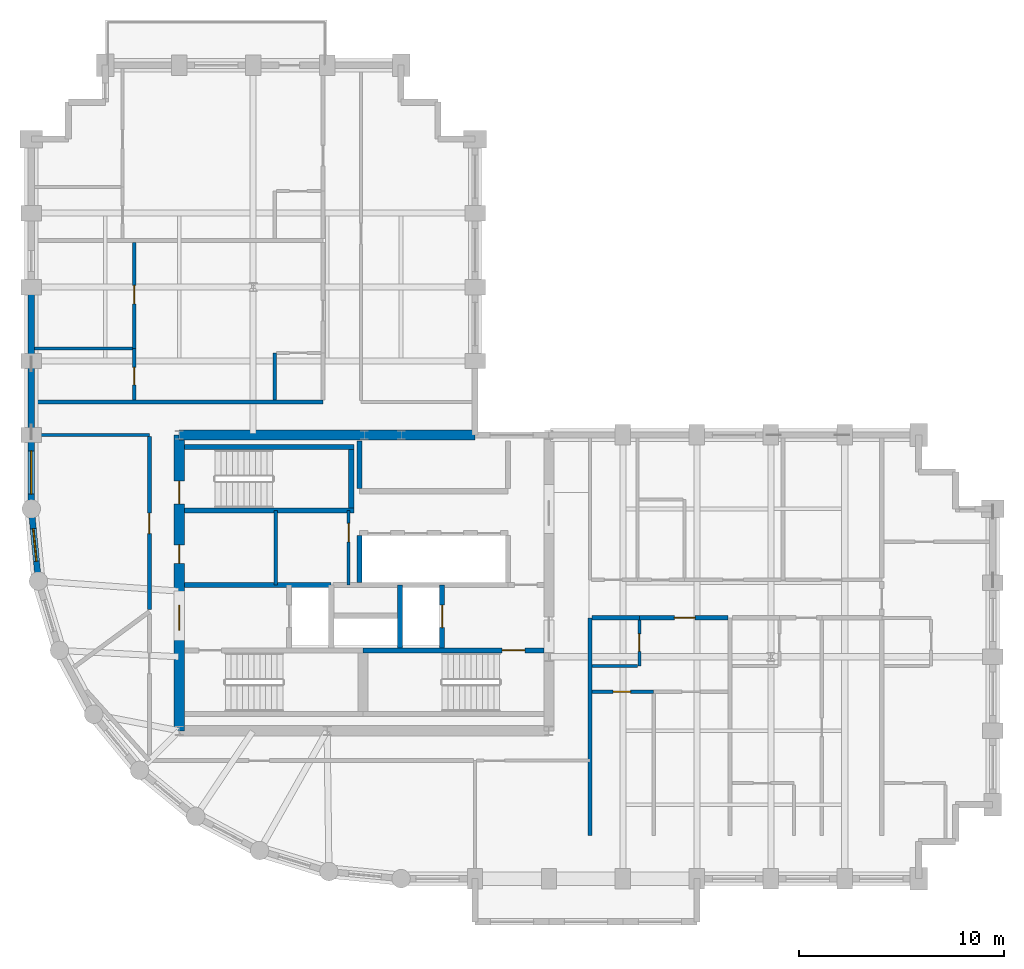
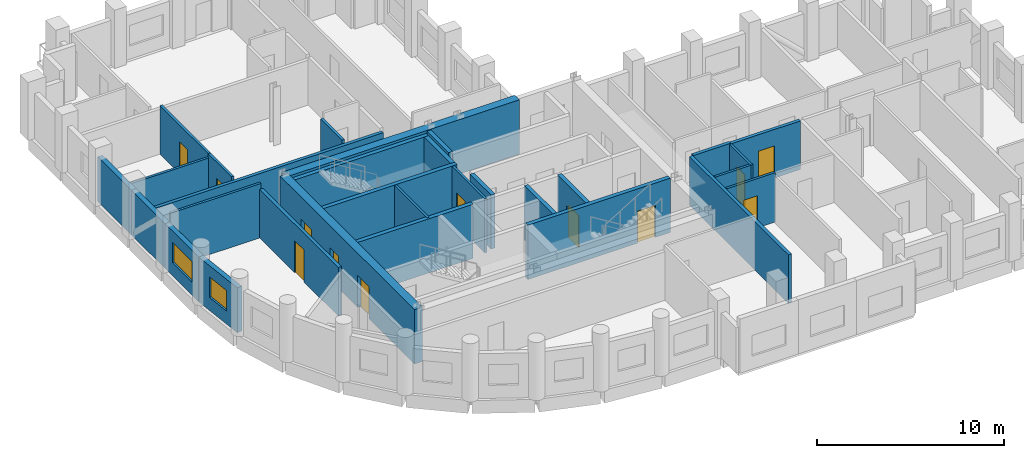
# One storey, part 4 of 9: 30 walls, 12 doors, 2 windows, 14 openings.
"""IFC4 building model written with IfcOpenShell, lengths in metres."""

import ifcopenshell
import ifcopenshell.guid

model = None  # the IFC model being written
_history = None  # IfcOwnerHistory: only IFC2X3 demands one
_inside = {}  # id of a spatial element -> (the spatial element, [elements in it])
_under = {}  # id of a project, library or spatial element -> (it, [spatial elements below it])
_declared = {}  # id of a project -> (the project, [libraries it declares])
_typed = {}  # id of a type object -> (the type object, [elements of that type])
_made_of = {}  # id of a material, layer set ... -> (it, [elements and type objects made of it])


def new_model(schema):
    """Start an empty IFC model of exactly this schema.

    Asked for "IFC4X3", IfcOpenShell would pick the latest addendum, in which some entities
    have other attributes; the version numbers below select the first issue.
    IFC2X3 requires an IfcOwnerHistory on every rooted entity: one is made here for all.
    """
    global model, _history
    if schema == "IFC4X3":
        model = ifcopenshell.file(schema_version=(4, 3, 0, 0))
    else:
        model = ifcopenshell.file(schema=schema)
    _inside.clear()
    _under.clear()
    _declared.clear()
    _typed.clear()
    _made_of.clear()
    _history = None
    if model.schema == "IFC2X3":
        org = make("IfcOrganization", Name="unknown")
        user = make(
            "IfcPersonAndOrganization",
            ThePerson=make("IfcPerson", FamilyName="unknown"),
            TheOrganization=org,
        )
        app = make(
            "IfcApplication",
            ApplicationDeveloper=org,
            Version="unknown",
            ApplicationFullName="unknown",
            ApplicationIdentifier="unknown",
        )
        _history = make(
            "IfcOwnerHistory",
            OwningUser=user,
            OwningApplication=app,
            ChangeAction="ADDED",
            CreationDate=0,
        )
    return model


def make(cls, **values):
    """One entity of the class cls with the attributes given. An attribute that is None is left unset."""
    return model.create_entity(
        cls, **{name: value for name, value in values.items() if value is not None}
    )


def rooted(cls, **values):
    """An entity with a GlobalId (a new one), such as an element, a storey or a relation."""
    return make(cls, GlobalId=ifcopenshell.guid.new(), OwnerHistory=_history, **values)


def si_unit(unit_type, name, prefix=None):
    """IfcSIUnit, for example si_unit("LENGTHUNIT", "METRE", prefix="MILLI")."""
    return make("IfcSIUnit", UnitType=unit_type, Prefix=prefix, Name=name)


def assignment(units):
    """IfcUnitAssignment: the units of a project."""
    return None if units is None else make("IfcUnitAssignment", Units=units)


def point(xyz):
    """IfcCartesianPoint."""
    return None if xyz is None else make("IfcCartesianPoint", Coordinates=xyz)


def direction(xyz):
    """IfcDirection."""
    return None if xyz is None else make("IfcDirection", DirectionRatios=xyz)


def frame(location, z_axis=None, x_axis=None):
    """IfcAxis2Placement3D, a coordinate frame: its origin and axes. An axis left out is left unset."""
    return make(
        "IfcAxis2Placement3D",
        Location=point(location),
        Axis=direction(z_axis),
        RefDirection=direction(x_axis),
    )


def frame_2d(location, x_axis=None):
    """IfcAxis2Placement2D, a coordinate frame in the plane: its origin and x axis."""
    return make(
        "IfcAxis2Placement2D", Location=point(location), RefDirection=direction(x_axis)
    )


def origin():
    """The frame at (0, 0, 0) with its axes left unset."""
    return frame((0.0, 0.0, 0.0))


def place(relative_to, where):
    """IfcLocalPlacement: puts the frame where relative to a parent placement (None: the world)."""
    return make(
        "IfcLocalPlacement", PlacementRelTo=relative_to, RelativePlacement=where
    )


def context(
    kind, dimensions, precision=None, world=None, true_north=None, identifier=None
):
    """IfcGeometricRepresentationContext, for example the 3D "Model" context."""
    return make(
        "IfcGeometricRepresentationContext",
        ContextIdentifier=identifier,
        ContextType=kind,
        CoordinateSpaceDimension=dimensions,
        Precision=precision,
        WorldCoordinateSystem=world,
        TrueNorth=true_north,
    )


def subcontext(parent, identifier, kind, view, scale=None):
    """IfcGeometricRepresentationSubContext, for example "Body" below "Model"."""
    return make(
        "IfcGeometricRepresentationSubContext",
        ContextIdentifier=identifier,
        ContextType=kind,
        ParentContext=parent,
        TargetScale=scale,
        TargetView=view,
    )


def project(units=None, contexts=None):
    """IfcProject with its units and contexts."""
    return rooted(
        "IfcProject",
        Name="project",
        RepresentationContexts=contexts,
        UnitsInContext=assignment(units),
    )


def spatial(cls, under=None, at=None, **own):
    """A site, building, storey or space (cls), placed at a placement, below another one or the project."""
    s = rooted(cls, ObjectPlacement=at, **own)
    if under is not None:
        _under.setdefault(under.id(), (under, []))[1].append(s)
    return s


def profile(cls, at=None, kind="AREA", **sizes):
    """A parametric profile (cls). Its sizes go by their IFC names, for example OverallWidth=200.0."""
    return make(cls, ProfileType=kind, Position=at, **sizes)


def rectangle(**sizes):
    """IfcRectangleProfileDef."""
    return profile("IfcRectangleProfileDef", **sizes)


def extrude(swept, where, along, depth):
    """IfcExtrudedAreaSolid: the profile swept, set in the frame where, extruded along a direction by depth."""
    return make(
        "IfcExtrudedAreaSolid",
        SweptArea=swept,
        Position=where,
        ExtrudedDirection=direction(along),
        Depth=depth,
    )


def shape(context_of_items, identifier, shape_type, items):
    """IfcShapeRepresentation: the items that make up one representation, for example the "Body"."""
    return make(
        "IfcShapeRepresentation",
        ContextOfItems=context_of_items,
        RepresentationIdentifier=identifier,
        RepresentationType=shape_type,
        Items=items,
    )


def material(Name=None, Category=None):
    """IfcMaterial."""
    return make("IfcMaterial", Name=Name, Category=Category)


def layer(
    of_material, thickness, ventilated=None, Name=None, Category=None, Priority=None
):
    """IfcMaterialLayer: one layer of a wall or slab, of a material (None: an air gap)."""
    return make(
        "IfcMaterialLayer",
        Material=of_material,
        LayerThickness=thickness,
        IsVentilated=ventilated,
        Name=Name,
        Category=Category,
        Priority=Priority,
    )


def layer_set(layers, Name=None):
    """IfcMaterialLayerSet."""
    return make("IfcMaterialLayerSet", MaterialLayers=layers, LayerSetName=Name)


def made_of(thing, what):
    """Note that an element or type object is made of a material, layer set ...; save() writes the relation."""
    if what is not None:
        _made_of.setdefault(what.id(), (what, []))[1].append(thing)
    return thing


def type_object(cls, material=None, **own):
    """A type object (cls), such as IfcWallType, which elements share."""
    return made_of(rooted(cls, **own), material)


def element(
    cls,
    number,
    at=None,
    inside=None,
    cuts=None,
    type_object=None,
    material=None,
    context=None,
    identifier="Body",
    shape_type=None,
    held_by="IfcProductDefinitionShape",
    body=None,
    shapes=None,
    **own,
):
    """One element of the class cls, such as IfcWall. Its Tag is "e" and its number.

    at: its placement. inside: the storey or other place that contains it. cuts: it is an
    opening in that element (IfcRelVoidsElement). A single representation is given by context,
    identifier, shape_type and body (its items); several are given by shapes. held_by: the class
    of the entity that holds the representations. save() writes the other relations.
    """
    e = rooted(cls, Tag="e%d" % number, ObjectPlacement=at, **own)
    if body is not None:
        shapes = [shape(context, identifier, shape_type, body)]
    if shapes is not None:
        e.Representation = make(held_by, Representations=shapes)
    if inside is not None:
        _inside.setdefault(inside.id(), (inside, []))[1].append(e)
    if cuts is not None:
        rooted(
            "IfcRelVoidsElement", RelatingBuildingElement=cuts, RelatedOpeningElement=e
        )
    if type_object is not None:
        _typed.setdefault(type_object.id(), (type_object, []))[1].append(e)
    return made_of(e, material)


def fill(opening, filler):
    """IfcRelFillsElement: the door or window that sits in an opening."""
    return rooted(
        "IfcRelFillsElement",
        RelatingOpeningElement=opening,
        RelatedBuildingElement=filler,
    )


def aggregate(whole, parts):
    """IfcRelAggregates: a whole, such as a stair, and the parts it consists of."""
    return rooted("IfcRelAggregates", RelatingObject=whole, RelatedObjects=parts)


def save(model, path):
    """Write the relations noted so far, then the file.

    IfcRelAggregates (storeys below a building ...), IfcRelContainedInSpatialStructure (elements
    in a storey), IfcRelDefinesByType, IfcRelAssociatesMaterial and IfcRelDeclares: one each for
    every whole, place, type object, material and project.
    """
    for whole, parts in _under.values():
        aggregate(whole, parts)
    for where, things in _inside.values():
        rooted(
            "IfcRelContainedInSpatialStructure",
            RelatedElements=things,
            RelatingStructure=where,
        )
    for kind, things in _typed.values():
        rooted("IfcRelDefinesByType", RelatedObjects=things, RelatingType=kind)
    for what, things in _made_of.values():
        rooted("IfcRelAssociatesMaterial", RelatedObjects=things, RelatingMaterial=what)
    for by, libraries in _declared.values():
        rooted("IfcRelDeclares", RelatingContext=by, RelatedDefinitions=libraries)
    model.write(path)


model = new_model("IFC4")

# Units and contexts
model_context = context("Model", 3, precision=1e-05, world=origin(), true_north=direction((0.0, 1.0)))
body_context = subcontext(model_context, "Body", "Model", "MODEL_VIEW")
ifc_project = project(units=[si_unit("LENGTHUNIT", "METRE"), si_unit("AREAUNIT", "SQUARE_METRE"), si_unit("VOLUMEUNIT", "CUBIC_METRE"), si_unit("PLANEANGLEUNIT", "RADIAN"), si_unit("MASSUNIT", "GRAM", prefix="KILO")], contexts=[model_context])

# Site, building, storey
site_placement = place(None, origin())
site = spatial("IfcSite", under=ifc_project, at=site_placement, CompositionType="ELEMENT")
building_placement = place(site_placement, origin())
building = spatial("IfcBuilding", under=site, at=building_placement, Name="Solnavia Interchange Tower", CompositionType="ELEMENT")
storey_placement = place(building_placement, frame((0.0, 0.0, 131.39990234375)))
storey = spatial("IfcBuildingStorey", under=building, at=storey_placement, Name="L32", CompositionType="ELEMENT", Elevation=131.39990234375)

# Wall, opening, door
ifc_material_1 = material(Name="Gypsum Acoustic Twin-Stud & Mineral Wool", Category="gypsum")
ifc_layer_1 = layer(ifc_material_1, 0.199951171875)
ifc_layer_set_1 = layer_set([ifc_layer_1], Name="Gypsum Acoustic Twin-Stud & Mineral Wool")
wall_type_1 = type_object("IfcWallType", Name="Wall-ApartmentParty-200", PredefinedType="PARTITIONING", material=ifc_layer_set_1)
wall_1_placement = place(storey_placement, frame((12.949951171875, 16.7041015625, 0.0), z_axis=(0.0, 0.0, 1.0), x_axis=(0.0, 1.0, 0.0)))
wall_1 = element("IfcWall", 1, at=wall_1_placement, inside=storey, type_object=wall_type_1, Name="PTW-L32-11 Interior partition wall", PredefinedType="PARTITIONING", context=body_context, shape_type="SweptSolid", body=[
    extrude(rectangle(XDim=8.4169921875, YDim=0.199951171875, at=frame_2d((4.20849609375, 0.0))), origin(), (0.0, 0.0, 1.0), 3.18017578125),
])
opening_1_placement = place(wall_1_placement, frame((3.696044921875, 0.0, 0.0)))
opening_1 = element("IfcOpeningElement", 2, at=opening_1_placement, cuts=wall_1, Name="Opening DR-07", PredefinedType="OPENING", context=body_context, shape_type="SweptSolid", body=[
    extrude(rectangle(XDim=1.0, YDim=2.10009765625, at=frame_2d((0.5, 1.050048828125))), frame((0.0, 0.10986328125, 0.0), z_axis=(0.0, -1.0, 0.0), x_axis=(1.0, 0.0, 0.0)), (0.0, 0.0, 1.0), 0.219970703125),
])
ifc_material_2 = material(Name="Timber & Acoustic Glazed Office Door", Category="wood")
door_type_1 = type_object("IfcDoorType", Name="Door-Office-1000x2100", OperationType="SINGLE_SWING_RIGHT", PredefinedType="DOOR", material=ifc_material_2)
door_1_placement = place(opening_1_placement, origin())
door_1 = element("IfcDoor", 3, at=door_1_placement, inside=storey, type_object=door_type_1, Name="DR-L32-03 Interior room door", OperationType="SINGLE_SWING_LEFT", OverallHeight=2.10009765625, OverallWidth=1.0, PredefinedType="DOOR", context=body_context, shape_type="SweptSolid", body=[
    extrude(rectangle(XDim=1.0, YDim=2.10009765625, at=frame_2d((0.5, 1.050048828125))), frame((0.0, 0.02490234375, 0.0), z_axis=(0.0, -1.0, 0.0), x_axis=(1.0, 0.0, 0.0)), (0.0, 0.0, 1.0), 0.050048828125),
])
fill(opening_1, door_1)

# Walls
wall_2_placement = place(storey_placement, frame((34.39990234375, 5.699951171875, 0.0), z_axis=(0.0, 0.0, 1.0), x_axis=(0.0, 1.0, 0.0)))
element("IfcWall", 4, at=wall_2_placement, inside=storey, type_object=wall_type_1, Name="PTW-L32-15 Interior partition wall", PredefinedType="PARTITIONING", context=body_context, shape_type="SweptSolid", body=[
    extrude(rectangle(XDim=10.60009765625, YDim=0.199951171875, at=frame_2d((5.300048828125, 0.0))), origin(), (0.0, 0.0, 1.0), 3.170166015625),
])
wall_3_placement = place(storey_placement, frame((34.50390625, 16.300048828125, 0.0), z_axis=(0.0, 0.0, 1.0), x_axis=(1.0, 0.0, 0.0)))
element("IfcWall", 5, at=wall_3_placement, inside=storey, type_object=wall_type_1, Name="PTW-L32-17 Interior partition wall", PredefinedType="PARTITIONING", context=body_context, shape_type="SweptSolid", body=[
    extrude(rectangle(XDim=2.296142578125, YDim=0.199951171875, at=frame_2d((1.14794921875, 0.0))), origin(), (0.0, 0.0, 1.0), 3.22021484375),
])

# Wall, opening, door
wall_4_placement = place(storey_placement, frame((36.800048828125, 16.300048828125, 0.0), z_axis=(0.0, 0.0, 1.0), x_axis=(1.0, 0.0, 0.0)))
wall_4 = element("IfcWall", 6, at=wall_4_placement, inside=storey, type_object=wall_type_1, Name="PTW-L32-20 Interior partition wall", PredefinedType="PARTITIONING", context=body_context, shape_type="SweptSolid", body=[
    extrude(rectangle(XDim=4.31591796875, YDim=0.199951171875, at=frame_2d((2.157958984375, 0.0))), origin(), (0.0, 0.0, 1.0), 3.170166015625),
])
opening_2_placement = place(wall_4_placement, frame((1.7099609375, 0.0, 0.0)))
opening_2 = element("IfcOpeningElement", 7, at=opening_2_placement, cuts=wall_4, Name="Opening DR-06", PredefinedType="OPENING", context=body_context, shape_type="SweptSolid", body=[
    extrude(rectangle(XDim=1.0, YDim=2.10009765625, at=frame_2d((0.5, 1.050048828125))), frame((0.0, 0.10986328125, 0.0), z_axis=(0.0, -1.0, 0.0), x_axis=(1.0, 0.0, 0.0)), (0.0, 0.0, 1.0), 0.219970703125),
])
ifc_material_3 = material(Name="Engineered Timber Acoustic Fire Door", Category="wood")
door_type_2 = type_object("IfcDoorType", Name="Door-FlatEntry-1000x2100", OperationType="SINGLE_SWING_LEFT", PredefinedType="DOOR", material=ifc_material_3)
door_2_placement = place(opening_2_placement, origin())
door_2 = element("IfcDoor", 8, at=door_2_placement, inside=storey, type_object=door_type_2, Name="DR-L32-08 Interior room door", OperationType="SINGLE_SWING_LEFT", OverallHeight=2.10009765625, OverallWidth=1.0, PredefinedType="DOOR", context=body_context, shape_type="SweptSolid", body=[
    extrude(rectangle(XDim=1.0, YDim=2.10009765625, at=frame_2d((0.5, 1.050048828125))), frame((0.0, 0.02490234375, 0.0), z_axis=(0.0, -1.0, 0.0), x_axis=(1.0, 0.0, 0.0)), (0.0, 0.0, 1.0), 0.050048828125),
])
fill(opening_2, door_2)

# Walls
wall_5_placement = place(storey_placement, frame((7.35400390625, 26.800048828125, 0.0), z_axis=(0.0, 0.0, 1.0), x_axis=(1.0, 0.0, 0.0)))
element("IfcWall", 9, at=wall_5_placement, inside=storey, type_object=wall_type_1, Name="PTW-L32-44 Interior partition wall", PredefinedType="PARTITIONING", context=body_context, shape_type="SweptSolid", body=[
    extrude(rectangle(XDim=14.0458984375, YDim=0.199951171875, at=frame_2d((7.02294921875, 0.0))), origin(), (0.0, 0.0, 1.0), 2.93017578125),
])
ifc_material_4 = material(Name="Concrete C40/50", Category="concrete")
ifc_layer_2 = layer(ifc_material_4, 0.300048828125)
ifc_layer_set_2 = layer_set([ifc_layer_2], Name="Concrete C40/50")
wall_type_2 = type_object("IfcWallType", Name="Wall-ExtSpandrel-300", PredefinedType="STANDARD", material=ifc_layer_set_2)
wall_6_placement = place(storey_placement, frame((7.199951171875, 28.800048828125, 0.0), z_axis=(0.0, 0.0, 1.0), x_axis=(0.0, 1.0, 0.0)))
element("IfcWall", 10, at=wall_6_placement, inside=storey, type_object=wall_type_2, Name="EXW-L32-46 Exterior precast spandrel wall", PredefinedType="STANDARD", context=body_context, shape_type="SweptSolid", body=[
    extrude(rectangle(XDim=3.599853515625, YDim=0.300048828125, at=frame_2d((1.7998046875, 0.0))), origin(), (0.0, 0.0, 1.0), 2.93017578125),
])
wall_7_placement = place(storey_placement, frame((7.199951171875, 25.199951171875, 0.0), z_axis=(0.0, 0.0, 1.0), x_axis=(0.0, 1.0, 0.0)))
element("IfcWall", 11, at=wall_7_placement, inside=storey, type_object=wall_type_2, Name="EXW-L32-47 Exterior precast spandrel wall", PredefinedType="STANDARD", context=body_context, shape_type="SweptSolid", body=[
    extrude(rectangle(XDim=3.60009765625, YDim=0.300048828125, at=frame_2d((1.800048828125, 0.0))), origin(), (0.0, 0.0, 1.0), 2.93017578125),
])

# Wall, opening, window
wall_8_placement = place(storey_placement, frame((7.199951171875, 21.60009765625, 0.0), z_axis=(0.0, 0.0, 1.0), x_axis=(0.0, 1.0, 0.0)))
wall_8 = element("IfcWall", 12, at=wall_8_placement, inside=storey, type_object=wall_type_2, Name="EXW-L32-48 Exterior precast spandrel wall", PredefinedType="STANDARD", context=body_context, shape_type="SweptSolid", body=[
    extrude(rectangle(XDim=3.599853515625, YDim=0.300048828125, at=frame_2d((1.7998046875, 0.0))), origin(), (0.0, 0.0, 1.0), 2.93017578125),
])
opening_3_placement = place(wall_8_placement, frame((0.72509765625, 0.0, 0.85009765625)))
opening_3 = element("IfcOpeningElement", 13, at=opening_3_placement, cuts=wall_8, Name="Opening WIN-01", PredefinedType="OPENING", context=body_context, shape_type="SweptSolid", body=[
    extrude(rectangle(XDim=2.10009765625, YDim=1.35009765625, at=frame_2d((1.050048828125, 0.675048828125))), frame((0.0, 0.16015625, 0.0), z_axis=(0.0, -1.0, 0.0), x_axis=(1.0, 0.0, 0.0)), (0.0, 0.0, 1.0), 0.320068359375),
])
ifc_material_5 = material(Name="Thermal-Break Aluminium & Low-E Glass", Category="aluminium")
window_type_1 = type_object("IfcWindowType", Name="Window-Ribbon-2100x1350", PartitioningType="SINGLE_PANEL", PredefinedType="WINDOW", material=ifc_material_5)
window_1_placement = place(opening_3_placement, origin())
window_1 = element("IfcWindow", 14, at=window_1_placement, inside=storey, type_object=window_type_1, Name="WIN-L32-48 Facade ribbon window", OverallHeight=1.35009765625, OverallWidth=2.10009765625, PartitioningType="SINGLE_PANEL", PredefinedType="WINDOW", context=body_context, shape_type="SweptSolid", body=[
    extrude(rectangle(XDim=2.10009765625, YDim=1.35009765625, at=frame_2d((1.050048828125, 0.675048828125))), frame((0.0, 0.030029296875, 0.0), z_axis=(0.0, -1.0, 0.0), x_axis=(1.0, 0.0, 0.0)), (0.0, 0.0, 1.0), 0.06005859375),
])
fill(opening_3, window_1)

wall_9_placement = place(storey_placement, frame((7.5458984375, 18.087890625, 0.0), z_axis=(0.0, 0.0, 1.0), x_axis=(-0.09802417461, 0.995184033831, 0.0)))
wall_9 = element("IfcWall", 15, at=wall_9_placement, inside=storey, type_object=wall_type_2, Name="EXW-L32-49 Exterior precast spandrel wall", PredefinedType="STANDARD", context=body_context, shape_type="SweptSolid", body=[
    extrude(rectangle(XDim=3.529296875, YDim=0.300048828125, at=frame_2d((1.7646484375, 0.0))), origin(), (0.0, 0.0, 1.0), 2.93017578125),
])
opening_4_placement = place(wall_9_placement, frame((0.965087890625, 0.0, 0.85009765625)))
opening_4 = element("IfcOpeningElement", 16, at=opening_4_placement, cuts=wall_9, Name="Opening WIN-04", PredefinedType="OPENING", context=body_context, shape_type="SweptSolid", body=[
    extrude(rectangle(XDim=1.60009765625, YDim=1.35009765625, at=frame_2d((0.800048828125, 0.675048828125))), frame((0.0, 0.16015625, 0.0), z_axis=(0.0, -1.0, 0.0), x_axis=(1.0, 0.0, 0.0)), (0.0, 0.0, 1.0), 0.320068359375),
])
window_type_2 = type_object("IfcWindowType", Name="Window-Drum-1600x1350", PartitioningType="SINGLE_PANEL", PredefinedType="WINDOW", material=ifc_material_5)
window_2_placement = place(opening_4_placement, origin())
window_2 = element("IfcWindow", 17, at=window_2_placement, inside=storey, type_object=window_type_2, Name="WIN-L32-49 Facade ribbon window", OverallHeight=1.35009765625, OverallWidth=1.60009765625, PartitioningType="SINGLE_PANEL", PredefinedType="WINDOW", context=body_context, shape_type="SweptSolid", body=[
    extrude(rectangle(XDim=1.60009765625, YDim=1.35009765625, at=frame_2d((0.800048828125, 0.675048828125))), frame((0.0, 0.030029296875, 0.0), z_axis=(0.0, -1.0, 0.0), x_axis=(1.0, 0.0, 0.0)), (0.0, 0.0, 1.0), 0.06005859375),
])
fill(opening_4, window_2)

# Wall, opening, door
ifc_material_6 = material(Name="Gypsum Plasterboard & Steel Stud", Category="steel")
ifc_layer_3 = layer(ifc_material_6, 0.14990234375)
ifc_layer_set_3 = layer_set([ifc_layer_3], Name="Gypsum Plasterboard & Steel Stud")
wall_type_3 = type_object("IfcWallType", Name="Wall-Partition-150", PredefinedType="PARTITIONING", material=ifc_layer_set_3)
wall_10_placement = place(storey_placement, frame((22.64990234375, 17.89990234375, 0.0), z_axis=(0.0, 0.0, 1.0), x_axis=(0.0, 1.0, 0.0)))
wall_10 = element("IfcWall", 18, at=wall_10_placement, inside=storey, type_object=wall_type_3, Name="CSW-L32-E Core shaft wall", PredefinedType="PARTITIONING", context=body_context, shape_type="SweptSolid", body=[
    extrude(rectangle(XDim=3.625, YDim=0.14990234375, at=frame_2d((1.8125, 0.0))), origin(), (0.0, 0.0, 1.0), 3.53515625),
])
opening_5_placement = place(wall_10_placement, frame((2.10009765625, 0.0, 0.0)))
opening_5 = element("IfcOpeningElement", 19, at=opening_5_placement, cuts=wall_10, Name="Opening DR-09", PredefinedType="OPENING", context=body_context, shape_type="SweptSolid", body=[
    extrude(rectangle(XDim=0.89990234375, YDim=2.10009765625, at=frame_2d((0.449951171875, 1.050048828125))), frame((0.0, 0.0849609375, 0.0), z_axis=(0.0, -1.0, 0.0), x_axis=(1.0, 0.0, 0.0)), (0.0, 0.0, 1.0), 0.169921875),
])
ifc_material_7 = material(Name="Engineered Oak Veneer Door", Category="wood")
door_type_3 = type_object("IfcDoorType", Name="Door-Internal-900x2100", OperationType="SINGLE_SWING_LEFT", PredefinedType="DOOR", material=ifc_material_7)
door_3_placement = place(opening_5_placement, origin())
door_3 = element("IfcDoor", 20, at=door_3_placement, inside=storey, type_object=door_type_3, Name="DR-L32-CS2 Core fire door", OperationType="SINGLE_SWING_LEFT", OverallHeight=2.10009765625, OverallWidth=0.89990234375, PredefinedType="DOOR", context=body_context, shape_type="SweptSolid", body=[
    extrude(rectangle(XDim=0.89990234375, YDim=2.10009765625, at=frame_2d((0.449951171875, 1.050048828125))), frame((0.0, 0.02490234375, 0.0), z_axis=(0.0, -1.0, 0.0), x_axis=(1.0, 0.0, 0.0)), (0.0, 0.0, 1.0), 0.050048828125),
])
fill(opening_5, door_3)

# Walls
wall_11_placement = place(storey_placement, frame((19.10009765625, 17.89990234375, 0.0), z_axis=(0.0, 0.0, 1.0), x_axis=(0.0, 1.0, 0.0)))
element("IfcWall", 21, at=wall_11_placement, inside=storey, type_object=wall_type_3, Name="CSW-L32-M1 Core shaft wall", PredefinedType="PARTITIONING", context=body_context, shape_type="SweptSolid", body=[
    extrude(rectangle(XDim=3.625, YDim=0.14990234375, at=frame_2d((1.8125, 0.0))), origin(), (0.0, 0.0, 1.0), 3.53515625),
])
wall_12_placement = place(storey_placement, frame((7.35400390625, 25.199951171875, 0.0), z_axis=(0.0, 0.0, 1.0), x_axis=(1.0, 0.0, 0.0)))
element("IfcWall", 22, at=wall_12_placement, inside=storey, type_object=wall_type_3, Name="PTW-L32-07 Interior partition wall", PredefinedType="PARTITIONING", context=body_context, shape_type="SweptSolid", body=[
    extrude(rectangle(XDim=5.595947265625, YDim=0.14990234375, at=frame_2d((2.7978515625, 0.0))), origin(), (0.0, 0.0, 1.0), 3.53515625),
])

# Wall, opening, door
wall_13_placement = place(storey_placement, frame((12.2099609375, 29.39990234375, 0.0), z_axis=(0.0, 0.0, 1.0), x_axis=(0.0, 1.0, 0.0)))
wall_13 = element("IfcWall", 23, at=wall_13_placement, inside=storey, type_object=wall_type_3, Name="PTW-L32-50 Interior partition wall", PredefinedType="PARTITIONING", context=body_context, shape_type="SweptSolid", body=[
    extrude(rectangle(XDim=5.166015625, YDim=0.14990234375, at=frame_2d((2.5830078125, 0.0))), origin(), (0.0, 0.0, 1.0), 3.18017578125),
])
opening_6_placement = place(wall_13_placement, frame((2.18505859375, 0.0, 0.0)))
opening_6 = element("IfcOpeningElement", 24, at=opening_6_placement, cuts=wall_13, Name="Opening DR-09", PredefinedType="OPENING", context=body_context, shape_type="SweptSolid", body=[
    extrude(rectangle(XDim=0.89990234375, YDim=2.10009765625, at=frame_2d((0.449951171875, 1.050048828125))), frame((0.0, 0.0849609375, 0.0), z_axis=(0.0, -1.0, 0.0), x_axis=(1.0, 0.0, 0.0)), (0.0, 0.0, 1.0), 0.169921875),
])
door_4_placement = place(opening_6_placement, origin())
door_4 = element("IfcDoor", 25, at=door_4_placement, inside=storey, type_object=door_type_3, Name="DR-L32-23 Interior room door", OperationType="SINGLE_SWING_LEFT", OverallHeight=2.10009765625, OverallWidth=0.89990234375, PredefinedType="DOOR", context=body_context, shape_type="SweptSolid", body=[
    extrude(rectangle(XDim=0.89990234375, YDim=2.10009765625, at=frame_2d((0.449951171875, 1.050048828125))), frame((0.0, 0.02490234375, 0.0), z_axis=(0.0, -1.0, 0.0), x_axis=(1.0, 0.0, 0.0)), (0.0, 0.0, 1.0), 0.050048828125),
])
fill(opening_6, door_4)

ifc_layer_4 = layer(ifc_material_4, 0.25)
ifc_layer_set_4 = layer_set([ifc_layer_4], Name="Concrete C40/50")
wall_type_4 = type_object("IfcWallType", Name="Wall-ShaftCore-250", PredefinedType="SHEAR", material=ifc_layer_set_4)
wall_14_placement = place(storey_placement, frame((23.35009765625, 14.715087890625, 0.0), z_axis=(0.0, 0.0, 1.0), x_axis=(1.0, 0.0, 0.0)))
wall_14 = element("IfcWall", 26, at=wall_14_placement, inside=storey, type_object=wall_type_4, Name="SHW-L32-ST2N Core shear wall", PredefinedType="SHEAR", context=body_context, shape_type="SweptSolid", body=[
    extrude(rectangle(XDim=8.7998046875, YDim=0.25, at=frame_2d((4.39990234375, 0.0))), origin(), (0.0, 0.0, 1.0), 3.550048828125),
])
opening_7_placement = place(wall_14_placement, frame((6.77490234375, 0.0, 0.0)))
opening_7 = element("IfcOpeningElement", 27, at=opening_7_placement, cuts=wall_14, Name="Opening DR-01", PredefinedType="OPENING", context=body_context, shape_type="SweptSolid", body=[
    extrude(rectangle(XDim=1.10009765625, YDim=2.10009765625, at=frame_2d((0.550048828125, 1.050048828125))), frame((0.0, 0.135009765625, 0.0), z_axis=(0.0, -1.0, 0.0), x_axis=(1.0, 0.0, 0.0)), (0.0, 0.0, 1.0), 0.27001953125),
])
ifc_material_8 = material(Name="Steel Fire-Rated Leaf & Frame", Category="steel")
door_type_4 = type_object("IfcDoorType", Name="Door-StairFire-1100x2100", OperationType="SINGLE_SWING_LEFT", PredefinedType="DOOR", material=ifc_material_8)
door_5_placement = place(opening_7_placement, origin())
door_5 = element("IfcDoor", 28, at=door_5_placement, inside=storey, type_object=door_type_4, Name="DR-L32-ST2 Core fire door", OperationType="SINGLE_SWING_LEFT", OverallHeight=2.10009765625, OverallWidth=1.10009765625, PredefinedType="DOOR", context=body_context, shape_type="SweptSolid", body=[
    extrude(rectangle(XDim=1.10009765625, YDim=2.10009765625, at=frame_2d((0.550048828125, 1.050048828125))), frame((0.0, 0.02490234375, 0.0), z_axis=(0.0, -1.0, 0.0), x_axis=(1.0, 0.0, 0.0)), (0.0, 0.0, 1.0), 0.050048828125),
])
fill(opening_7, door_5)

# Walls
for number, where, z_axis, x_axis, name in (
    (29, (14.64990234375, 21.52490234375, 0.0), (0.0, 0.0, 1.0), (1.0, 0.0, 0.0), "SHW-L32-ST3S Core shear wall"),
    (30, (14.64990234375, 24.614990234375, 0.0), (0.0, 0.0, 1.0), (1.0, 0.0, 0.0), "SHW-L32-ST3N Core shear wall"),
):
    element("IfcWall", number, at=place(storey_placement, frame(where, z_axis=z_axis, x_axis=x_axis)), inside=storey, type_object=wall_type_4, Name=name, PredefinedType="SHEAR", context=body_context, shape_type="SweptSolid", body=[
        extrude(rectangle(XDim=8.25, YDim=0.25, at=frame_2d((4.125, 0.0))), origin(), (0.0, 0.0, 1.0), 3.550048828125),
    ])
wall_15_placement = place(storey_placement, frame((22.77490234375, 21.64990234375, 0.0), z_axis=(0.0, 0.0, 1.0), x_axis=(0.0, 1.0, 0.0)))
element("IfcWall", 31, at=wall_15_placement, inside=storey, type_object=wall_type_4, Name="SHW-L32-ST3E Core shear wall", PredefinedType="SHEAR", context=body_context, shape_type="SweptSolid", body=[
    extrude(rectangle(XDim=2.840087890625, YDim=0.25, at=frame_2d((1.419921875, 0.0))), origin(), (0.0, 0.0, 1.0), 3.550048828125),
])
ifc_layer_5 = layer(ifc_material_4, 0.25)
ifc_layer_set_5 = layer_set([ifc_layer_5], Name="Concrete C40/50")
wall_type_5 = type_object("IfcWallType", Name="Wall-ShaftPart-250", PredefinedType="PARTITIONING", material=ifc_layer_set_5)
wall_16_placement = place(storey_placement, frame((14.64990234375, 17.89990234375, 0.0), z_axis=(0.0, 0.0, 1.0), x_axis=(1.0, 0.0, 0.0)))
element("IfcWall", 32, at=wall_16_placement, inside=storey, type_object=wall_type_5, Name="SHW-L32-FFLW-N Core shaft wall", PredefinedType="PARTITIONING", context=body_context, shape_type="SweptSolid", body=[
    extrude(rectangle(XDim=7.150146484375, YDim=0.25, at=frame_2d((3.5751953125, 0.0))), origin(), (0.0, 0.0, 1.0), 3.53515625),
])
wall_17_placement = place(storey_placement, frame((25.14990234375, 14.840087890625, 0.0), z_axis=(0.0, 0.0, 1.0), x_axis=(0.0, 1.0, 0.0)))
element("IfcWall", 33, at=wall_17_placement, inside=storey, type_object=wall_type_5, Name="SHW-L32-FFL2-W Core shaft wall", PredefinedType="PARTITIONING", context=body_context, shape_type="SweptSolid", body=[
    extrude(rectangle(XDim=3.059814453125, YDim=0.25, at=frame_2d((1.52978515625, 0.0))), origin(), (0.0, 0.0, 1.0), 3.53515625),
])

# Wall, opening, door
wall_18_placement = place(storey_placement, frame((27.199951171875, 14.840087890625, 0.0), z_axis=(0.0, 0.0, 1.0), x_axis=(0.0, 1.0, 0.0)))
wall_18 = element("IfcWall", 34, at=wall_18_placement, inside=storey, type_object=wall_type_5, Name="SHW-L32-FFL2-E Core shaft wall", PredefinedType="PARTITIONING", context=body_context, shape_type="SweptSolid", body=[
    extrude(rectangle(XDim=3.059814453125, YDim=0.25, at=frame_2d((1.52978515625, 0.0))), origin(), (0.0, 0.0, 1.0), 3.53515625),
])
opening_8_placement = place(wall_18_placement, frame((0.97998046875, 0.0, 0.0)))
opening_8 = element("IfcOpeningElement", 35, at=opening_8_placement, cuts=wall_18, Name="Opening LD-01", PredefinedType="OPENING", context=body_context, shape_type="SweptSolid", body=[
    extrude(rectangle(XDim=1.10009765625, YDim=2.10009765625, at=frame_2d((0.550048828125, 1.050048828125))), frame((0.0, 0.135009765625, 0.0), z_axis=(0.0, -1.0, 0.0), x_axis=(1.0, 0.0, 0.0)), (0.0, 0.0, 1.0), 0.27001953125),
])
ifc_material_9 = material(Name="Brushed Stainless Steel Sliding Door", Category="steel")
door_type_5 = type_object("IfcDoorType", Name="Door-LiftLanding-1100x2100", OperationType="SLIDING_TO_LEFT", PredefinedType="DOOR", material=ifc_material_9)
door_6_placement = place(opening_8_placement, origin())
door_6 = element("IfcDoor", 36, at=door_6_placement, inside=storey, type_object=door_type_5, Name="LD-L32-FFL2 Lift landing sliding door", OperationType="SLIDING_TO_LEFT", OverallHeight=2.10009765625, OverallWidth=1.10009765625, PredefinedType="DOOR", context=body_context, shape_type="SweptSolid", body=[
    extrude(rectangle(XDim=1.10009765625, YDim=2.10009765625, at=frame_2d((0.550048828125, 1.050048828125))), frame((0.0, 0.02490234375, 0.0), z_axis=(0.0, -1.0, 0.0), x_axis=(1.0, 0.0, 0.0)), (0.0, 0.0, 1.0), 0.050048828125),
])
fill(opening_8, door_6)

# Walls
wall_19_placement = place(storey_placement, frame((23.179931640625, 18.02490234375, 0.0), z_axis=(0.0, 0.0, 1.0), x_axis=(0.0, 1.0, 0.0)))
element("IfcWall", 37, at=wall_19_placement, inside=storey, type_object=wall_type_5, Name="SHW-L32-B2W Core shaft wall", PredefinedType="PARTITIONING", context=body_context, shape_type="SweptSolid", body=[
    extrude(rectangle(XDim=2.27001953125, YDim=0.25, at=frame_2d((1.135009765625, 0.0))), origin(), (0.0, 0.0, 1.0), 3.53515625),
])
wall_20_placement = place(storey_placement, frame((23.179931640625, 22.5849609375, 0.0), z_axis=(0.0, 0.0, 1.0), x_axis=(0.0, 1.0, 0.0)))
element("IfcWall", 38, at=wall_20_placement, inside=storey, type_object=wall_type_5, Name="SHW-L32-B3W Core shaft wall", PredefinedType="PARTITIONING", context=body_context, shape_type="SweptSolid", body=[
    extrude(rectangle(XDim=2.31494140625, YDim=0.25, at=frame_2d((1.157470703125, 0.0))), origin(), (0.0, 0.0, 1.0), 3.53515625),
])
ifc_material_10 = material(Name="Concrete C60/75", Category="concrete")
ifc_layer_6 = layer(ifc_material_10, 0.5)
ifc_layer_set_6 = layer_set([ifc_layer_6], Name="Concrete C60/75")
wall_type_6 = type_object("IfcWallType", Name="Wall-ShearCore-500", PredefinedType="SHEAR", material=ifc_layer_set_6)
wall_21_placement = place(storey_placement, frame((14.39990234375, 25.199951171875, 0.0), z_axis=(0.0, 0.0, 1.0), x_axis=(1.0, 0.0, 0.0)))
element("IfcWall", 39, at=wall_21_placement, inside=storey, type_object=wall_type_6, Name="CRW-L32-N Core shear wall", PredefinedType="SHEAR", context=body_context, shape_type="SweptSolid", body=[
    extrude(rectangle(XDim=14.400146484375, YDim=0.5, at=frame_2d((7.2001953125, 0.0))), origin(), (0.0, 0.0, 1.0), 3.550048828125),
])

# Wall, openings, doors
wall_22_placement = place(storey_placement, frame((14.39990234375, 10.800048828125, 0.0), z_axis=(0.0, 0.0, 1.0), x_axis=(0.0, 1.0, 0.0)))
wall_22 = element("IfcWall", 40, at=wall_22_placement, inside=storey, type_object=wall_type_6, Name="CRW-L32-W Core shear wall", PredefinedType="SHEAR", context=body_context, shape_type="SweptSolid", body=[
    extrude(rectangle(XDim=14.39990234375, YDim=0.5, at=frame_2d((7.199951171875, 0.0))), origin(), (0.0, 0.0, 1.0), 3.550048828125),
])
opening_9_placement = place(wall_22_placement, frame((11.050048828125, 0.0, 0.0)))
opening_9 = element("IfcOpeningElement", 41, at=opening_9_placement, cuts=wall_22, Name="Opening DR-01", PredefinedType="OPENING", context=body_context, shape_type="SweptSolid", body=[
    extrude(rectangle(XDim=1.10009765625, YDim=2.10009765625, at=frame_2d((0.550048828125, 1.050048828125))), frame((0.0, 0.260009765625, 0.0), z_axis=(0.0, -1.0, 0.0), x_axis=(1.0, 0.0, 0.0)), (0.0, 0.0, 1.0), 0.52001953125),
])
opening_10_placement = place(wall_22_placement, frame((4.89990234375, 0.0, 0.0)))
opening_10 = element("IfcOpeningElement", 42, at=opening_10_placement, cuts=wall_22, Name="Opening DR-02", PredefinedType="OPENING", context=body_context, shape_type="SweptSolid", body=[
    extrude(rectangle(XDim=1.199951171875, YDim=2.10009765625, at=frame_2d((0.60009765625, 1.050048828125))), frame((0.0, 0.260009765625, 0.0), z_axis=(0.0, -1.0, 0.0), x_axis=(1.0, 0.0, 0.0)), (0.0, 0.0, 1.0), 0.52001953125),
])
opening_11_placement = place(wall_22_placement, frame((8.14990234375, 0.0, 0.0)))
opening_11 = element("IfcOpeningElement", 43, at=opening_11_placement, cuts=wall_22, Name="Opening DR-09", PredefinedType="OPENING", context=body_context, shape_type="SweptSolid", body=[
    extrude(rectangle(XDim=0.89990234375, YDim=2.10009765625, at=frame_2d((0.449951171875, 1.050048828125))), frame((0.0, 0.260009765625, 0.0), z_axis=(0.0, -1.0, 0.0), x_axis=(1.0, 0.0, 0.0)), (0.0, 0.0, 1.0), 0.52001953125),
])
door_7_placement = place(opening_11_placement, origin())
door_7 = element("IfcDoor", 44, at=door_7_placement, inside=storey, type_object=door_type_3, Name="DR-L32-CS1 Core fire door", OperationType="SINGLE_SWING_RIGHT", OverallHeight=2.10009765625, OverallWidth=0.89990234375, PredefinedType="DOOR", context=body_context, shape_type="SweptSolid", body=[
    extrude(rectangle(XDim=0.89990234375, YDim=2.10009765625, at=frame_2d((0.449951171875, 1.050048828125))), frame((0.0, 0.02490234375, 0.0), z_axis=(0.0, -1.0, 0.0), x_axis=(1.0, 0.0, 0.0)), (0.0, 0.0, 1.0), 0.050048828125),
])
fill(opening_11, door_7)
ifc_material_11 = material(Name="Steel Fire-Rated Vision-Panel Door", Category="steel")
door_type_6 = type_object("IfcDoorType", Name="Door-LobbyFire-1200x2100", OperationType="SINGLE_SWING_RIGHT", PredefinedType="DOOR", material=ifc_material_11)
door_8_placement = place(opening_10_placement, origin())
door_8 = element("IfcDoor", 45, at=door_8_placement, inside=storey, type_object=door_type_6, Name="DR-L32-FFL1W Core fire door", OperationType="SINGLE_SWING_RIGHT", OverallHeight=2.10009765625, OverallWidth=1.199951171875, PredefinedType="DOOR", context=body_context, shape_type="SweptSolid", body=[
    extrude(rectangle(XDim=1.199951171875, YDim=2.10009765625, at=frame_2d((0.60009765625, 1.050048828125))), frame((0.0, 0.02490234375, 0.0), z_axis=(0.0, -1.0, 0.0), x_axis=(1.0, 0.0, 0.0)), (0.0, 0.0, 1.0), 0.050048828125),
])
fill(opening_10, door_8)
door_9_placement = place(opening_9_placement, origin())
door_9 = element("IfcDoor", 46, at=door_9_placement, inside=storey, type_object=door_type_4, Name="DR-L32-ST3 Core fire door", OperationType="SINGLE_SWING_RIGHT", OverallHeight=2.10009765625, OverallWidth=1.10009765625, PredefinedType="DOOR", context=body_context, shape_type="SweptSolid", body=[
    extrude(rectangle(XDim=1.10009765625, YDim=2.10009765625, at=frame_2d((0.550048828125, 1.050048828125))), frame((0.0, 0.02490234375, 0.0), z_axis=(0.0, -1.0, 0.0), x_axis=(1.0, 0.0, 0.0)), (0.0, 0.0, 1.0), 0.050048828125),
])
fill(opening_9, door_9)

# Wall, opening, door
ifc_material_12 = material(Name="Moisture-Resistant Gypsum & Steel Stud", Category="steel")
ifc_layer_7 = layer(ifc_material_12, 0.14990234375)
ifc_layer_set_7 = layer_set([ifc_layer_7], Name="Moisture-Resistant Gypsum & Steel Stud")
wall_type_7 = type_object("IfcWallType", Name="Wall-WetRoom-150", PredefinedType="PARTITIONING", material=ifc_layer_set_7)
wall_23_placement = place(storey_placement, frame((36.800048828125, 13.949951171875, 0.0), z_axis=(0.0, 0.0, 1.0), x_axis=(0.0, 1.0, 0.0)))
wall_23 = element("IfcWall", 47, at=wall_23_placement, inside=storey, type_object=wall_type_7, Name="PTW-L32-18 Interior partition wall", PredefinedType="PARTITIONING", context=body_context, shape_type="SweptSolid", body=[
    extrude(rectangle(XDim=2.24609375, YDim=0.14990234375, at=frame_2d((1.123046875, 0.0))), origin(), (0.0, 0.0, 1.0), 3.170166015625),
])
opening_12_placement = place(wall_23_placement, frame((0.719970703125, 0.0, 0.0)))
opening_12 = element("IfcOpeningElement", 48, at=opening_12_placement, cuts=wall_23, Name="Opening DR-10", PredefinedType="OPENING", context=body_context, shape_type="SweptSolid", body=[
    extrude(rectangle(XDim=0.85009765625, YDim=2.10009765625, at=frame_2d((0.425048828125, 1.050048828125))), frame((0.0, 0.0849609375, 0.0), z_axis=(0.0, -1.0, 0.0), x_axis=(1.0, 0.0, 0.0)), (0.0, 0.0, 1.0), 0.169921875),
])
ifc_material_13 = material(Name="Moisture-Resistant Timber Door", Category="wood")
door_type_7 = type_object("IfcDoorType", Name="Door-Bathroom-850x2100", OperationType="SINGLE_SWING_RIGHT", PredefinedType="DOOR", material=ifc_material_13)
door_10_placement = place(opening_12_placement, origin())
door_10 = element("IfcDoor", 49, at=door_10_placement, inside=storey, type_object=door_type_7, Name="DR-L32-07 Interior room door", OperationType="SINGLE_SWING_RIGHT", OverallHeight=2.10009765625, OverallWidth=0.85009765625, PredefinedType="DOOR", context=body_context, shape_type="SweptSolid", body=[
    extrude(rectangle(XDim=0.85009765625, YDim=2.10009765625, at=frame_2d((0.425048828125, 1.050048828125))), frame((0.0, 0.02490234375, 0.0), z_axis=(0.0, -1.0, 0.0), x_axis=(1.0, 0.0, 0.0)), (0.0, 0.0, 1.0), 0.050048828125),
])
fill(opening_12, door_10)

# Wall
wall_24_placement = place(storey_placement, frame((34.50390625, 13.949951171875, 0.0), z_axis=(0.0, 0.0, 1.0), x_axis=(1.0, 0.0, 0.0)))
element("IfcWall", 50, at=wall_24_placement, inside=storey, type_object=wall_type_7, Name="PTW-L32-19 Interior partition wall", PredefinedType="PARTITIONING", context=body_context, shape_type="SweptSolid", body=[
    extrude(rectangle(XDim=2.217041015625, YDim=0.14990234375, at=frame_2d((1.1083984375, 0.0))), origin(), (0.0, 0.0, 1.0), 3.22021484375),
])

# Wall, opening, door
wall_25_placement = place(storey_placement, frame((34.50390625, 12.699951171875, 0.0), z_axis=(0.0, 0.0, 1.0), x_axis=(1.0, 0.0, 0.0)))
wall_25 = element("IfcWall", 51, at=wall_25_placement, inside=storey, type_object=wall_type_7, Name="PTW-L32-22 Interior partition wall", PredefinedType="PARTITIONING", context=body_context, shape_type="SweptSolid", body=[
    extrude(rectangle(XDim=2.99609375, YDim=0.14990234375, at=frame_2d((1.498046875, 0.0))), origin(), (0.0, 0.0, 1.0), 3.22021484375),
])
opening_13_placement = place(wall_25_placement, frame((1.02099609375, 0.0, 0.0)))
opening_13 = element("IfcOpeningElement", 52, at=opening_13_placement, cuts=wall_25, Name="Opening DR-10", PredefinedType="OPENING", context=body_context, shape_type="SweptSolid", body=[
    extrude(rectangle(XDim=0.85009765625, YDim=2.10009765625, at=frame_2d((0.425048828125, 1.050048828125))), frame((0.0, 0.0849609375, 0.0), z_axis=(0.0, -1.0, 0.0), x_axis=(1.0, 0.0, 0.0)), (0.0, 0.0, 1.0), 0.169921875),
])
door_11_placement = place(opening_13_placement, origin())
door_11 = element("IfcDoor", 53, at=door_11_placement, inside=storey, type_object=door_type_7, Name="DR-L32-10 Interior room door", OperationType="SINGLE_SWING_LEFT", OverallHeight=2.10009765625, OverallWidth=0.85009765625, PredefinedType="DOOR", context=body_context, shape_type="SweptSolid", body=[
    extrude(rectangle(XDim=0.85009765625, YDim=2.10009765625, at=frame_2d((0.425048828125, 1.050048828125))), frame((0.0, 0.02490234375, 0.0), z_axis=(0.0, -1.0, 0.0), x_axis=(1.0, 0.0, 0.0)), (0.0, 0.0, 1.0), 0.050048828125),
])
fill(opening_13, door_11)

# Wall
wall_26_placement = place(storey_placement, frame((19.050048828125, 26.904052734375, 0.0), z_axis=(0.0, 0.0, 1.0), x_axis=(0.0, 1.0, 0.0)))
element("IfcWall", 54, at=wall_26_placement, inside=storey, type_object=wall_type_7, Name="PTW-L32-47 Interior partition wall", PredefinedType="PARTITIONING", context=body_context, shape_type="SweptSolid", body=[
    extrude(rectangle(XDim=2.2958984375, YDim=0.14990234375, at=frame_2d((1.14794921875, 0.0))), origin(), (0.0, 0.0, 1.0), 3.170166015625),
])

# Wall, opening, door
wall_27_placement = place(storey_placement, frame((12.2099609375, 26.904052734375, 0.0), z_axis=(0.0, 0.0, 1.0), x_axis=(0.0, 1.0, 0.0)))
wall_27 = element("IfcWall", 55, at=wall_27_placement, inside=storey, type_object=wall_type_7, Name="PTW-L32-51 Interior partition wall", PredefinedType="PARTITIONING", context=body_context, shape_type="SweptSolid", body=[
    extrude(rectangle(XDim=2.495849609375, YDim=0.14990234375, at=frame_2d((1.248046875, 0.0))), origin(), (0.0, 0.0, 1.0), 3.170166015625),
])
opening_14_placement = place(wall_27_placement, frame((0.73095703125, 0.0, 0.0)))
opening_14 = element("IfcOpeningElement", 56, at=opening_14_placement, cuts=wall_27, Name="Opening DR-10", PredefinedType="OPENING", context=body_context, shape_type="SweptSolid", body=[
    extrude(rectangle(XDim=0.85009765625, YDim=2.10009765625, at=frame_2d((0.425048828125, 1.050048828125))), frame((0.0, 0.0849609375, 0.0), z_axis=(0.0, -1.0, 0.0), x_axis=(1.0, 0.0, 0.0)), (0.0, 0.0, 1.0), 0.169921875),
])
door_12_placement = place(opening_14_placement, origin())
door_12 = element("IfcDoor", 57, at=door_12_placement, inside=storey, type_object=door_type_7, Name="DR-L32-24 Interior room door", OperationType="SINGLE_SWING_RIGHT", OverallHeight=2.10009765625, OverallWidth=0.85009765625, PredefinedType="DOOR", context=body_context, shape_type="SweptSolid", body=[
    extrude(rectangle(XDim=0.85009765625, YDim=2.10009765625, at=frame_2d((0.425048828125, 1.050048828125))), frame((0.0, 0.02490234375, 0.0), z_axis=(0.0, -1.0, 0.0), x_axis=(1.0, 0.0, 0.0)), (0.0, 0.0, 1.0), 0.050048828125),
])
fill(opening_14, door_12)

# Wall
wall_28_placement = place(storey_placement, frame((7.35400390625, 29.39990234375, 0.0), z_axis=(0.0, 0.0, 1.0), x_axis=(1.0, 0.0, 0.0)))
element("IfcWall", 58, at=wall_28_placement, inside=storey, type_object=wall_type_7, Name="PTW-L32-52 Interior partition wall", PredefinedType="PARTITIONING", context=body_context, shape_type="SweptSolid", body=[
    extrude(rectangle(XDim=4.777099609375, YDim=0.14990234375, at=frame_2d((2.388671875, 0.0))), origin(), (0.0, 0.0, 1.0), 2.93017578125),
])

save(model, "model.ifc")
